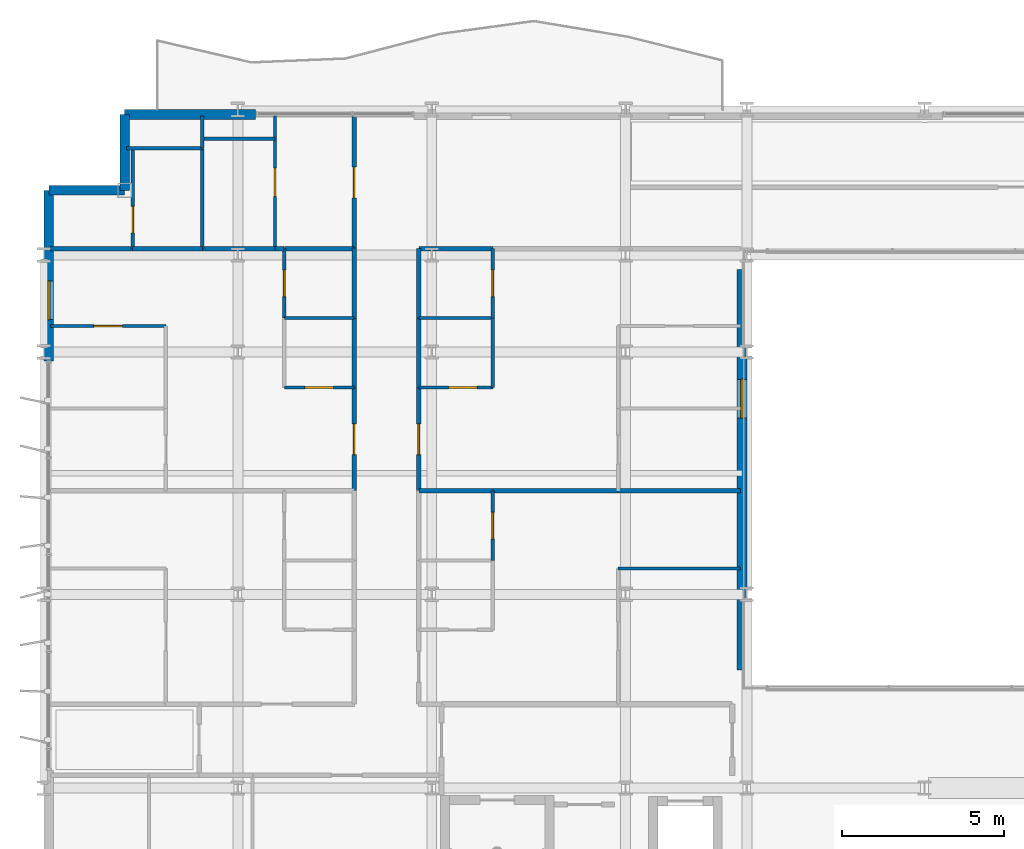
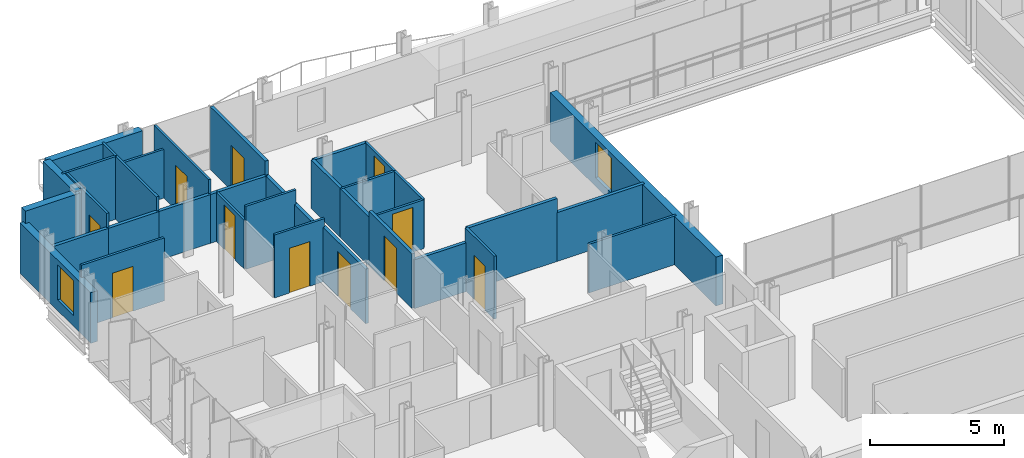
# One storey, part 29 of 39: 37 walls, 11 doors, 2 windows, 13 openings.
"""IFC4 building model written with IfcOpenShell, lengths in metres."""

import ifcopenshell
import ifcopenshell.guid

model = None  # the IFC model being written
_history = None  # IfcOwnerHistory: only IFC2X3 demands one
_inside = {}  # id of a spatial element -> (the spatial element, [elements in it])
_under = {}  # id of a project, library or spatial element -> (it, [spatial elements below it])
_declared = {}  # id of a project -> (the project, [libraries it declares])
_typed = {}  # id of a type object -> (the type object, [elements of that type])
_made_of = {}  # id of a material, layer set ... -> (it, [elements and type objects made of it])


def new_model(schema):
    """Start an empty IFC model of exactly this schema.

    Asked for "IFC4X3", IfcOpenShell would pick the latest addendum, in which some entities
    have other attributes; the version numbers below select the first issue.
    IFC2X3 requires an IfcOwnerHistory on every rooted entity: one is made here for all.
    """
    global model, _history
    if schema == "IFC4X3":
        model = ifcopenshell.file(schema_version=(4, 3, 0, 0))
    else:
        model = ifcopenshell.file(schema=schema)
    _inside.clear()
    _under.clear()
    _declared.clear()
    _typed.clear()
    _made_of.clear()
    _history = None
    if model.schema == "IFC2X3":
        org = make("IfcOrganization", Name="unknown")
        user = make(
            "IfcPersonAndOrganization",
            ThePerson=make("IfcPerson", FamilyName="unknown"),
            TheOrganization=org,
        )
        app = make(
            "IfcApplication",
            ApplicationDeveloper=org,
            Version="unknown",
            ApplicationFullName="unknown",
            ApplicationIdentifier="unknown",
        )
        _history = make(
            "IfcOwnerHistory",
            OwningUser=user,
            OwningApplication=app,
            ChangeAction="ADDED",
            CreationDate=0,
        )
    return model


def make(cls, **values):
    """One entity of the class cls with the attributes given. An attribute that is None is left unset."""
    return model.create_entity(
        cls, **{name: value for name, value in values.items() if value is not None}
    )


def rooted(cls, **values):
    """An entity with a GlobalId (a new one), such as an element, a storey or a relation."""
    return make(cls, GlobalId=ifcopenshell.guid.new(), OwnerHistory=_history, **values)


def si_unit(unit_type, name, prefix=None):
    """IfcSIUnit, for example si_unit("LENGTHUNIT", "METRE", prefix="MILLI")."""
    return make("IfcSIUnit", UnitType=unit_type, Prefix=prefix, Name=name)


def assignment(units):
    """IfcUnitAssignment: the units of a project."""
    return None if units is None else make("IfcUnitAssignment", Units=units)


def point(xyz):
    """IfcCartesianPoint."""
    return None if xyz is None else make("IfcCartesianPoint", Coordinates=xyz)


def direction(xyz):
    """IfcDirection."""
    return None if xyz is None else make("IfcDirection", DirectionRatios=xyz)


def frame(location, z_axis=None, x_axis=None):
    """IfcAxis2Placement3D, a coordinate frame: its origin and axes. An axis left out is left unset."""
    return make(
        "IfcAxis2Placement3D",
        Location=point(location),
        Axis=direction(z_axis),
        RefDirection=direction(x_axis),
    )


def frame_2d(location, x_axis=None):
    """IfcAxis2Placement2D, a coordinate frame in the plane: its origin and x axis."""
    return make(
        "IfcAxis2Placement2D", Location=point(location), RefDirection=direction(x_axis)
    )


def origin():
    """The frame at (0, 0, 0) with its axes left unset."""
    return frame((0.0, 0.0, 0.0))


def place(relative_to, where):
    """IfcLocalPlacement: puts the frame where relative to a parent placement (None: the world)."""
    return make(
        "IfcLocalPlacement", PlacementRelTo=relative_to, RelativePlacement=where
    )


def context(
    kind, dimensions, precision=None, world=None, true_north=None, identifier=None
):
    """IfcGeometricRepresentationContext, for example the 3D "Model" context."""
    return make(
        "IfcGeometricRepresentationContext",
        ContextIdentifier=identifier,
        ContextType=kind,
        CoordinateSpaceDimension=dimensions,
        Precision=precision,
        WorldCoordinateSystem=world,
        TrueNorth=true_north,
    )


def subcontext(parent, identifier, kind, view, scale=None):
    """IfcGeometricRepresentationSubContext, for example "Body" below "Model"."""
    return make(
        "IfcGeometricRepresentationSubContext",
        ContextIdentifier=identifier,
        ContextType=kind,
        ParentContext=parent,
        TargetScale=scale,
        TargetView=view,
    )


def project(units=None, contexts=None):
    """IfcProject with its units and contexts."""
    return rooted(
        "IfcProject",
        Name="project",
        RepresentationContexts=contexts,
        UnitsInContext=assignment(units),
    )


def spatial(cls, under=None, at=None, **own):
    """A site, building, storey or space (cls), placed at a placement, below another one or the project."""
    s = rooted(cls, ObjectPlacement=at, **own)
    if under is not None:
        _under.setdefault(under.id(), (under, []))[1].append(s)
    return s


def profile(cls, at=None, kind="AREA", **sizes):
    """A parametric profile (cls). Its sizes go by their IFC names, for example OverallWidth=200.0."""
    return make(cls, ProfileType=kind, Position=at, **sizes)


def rectangle(**sizes):
    """IfcRectangleProfileDef."""
    return profile("IfcRectangleProfileDef", **sizes)


def extrude(swept, where, along, depth):
    """IfcExtrudedAreaSolid: the profile swept, set in the frame where, extruded along a direction by depth."""
    return make(
        "IfcExtrudedAreaSolid",
        SweptArea=swept,
        Position=where,
        ExtrudedDirection=direction(along),
        Depth=depth,
    )


def shape(context_of_items, identifier, shape_type, items):
    """IfcShapeRepresentation: the items that make up one representation, for example the "Body"."""
    return make(
        "IfcShapeRepresentation",
        ContextOfItems=context_of_items,
        RepresentationIdentifier=identifier,
        RepresentationType=shape_type,
        Items=items,
    )


def material(Name=None, Category=None):
    """IfcMaterial."""
    return make("IfcMaterial", Name=Name, Category=Category)


def layer(
    of_material, thickness, ventilated=None, Name=None, Category=None, Priority=None
):
    """IfcMaterialLayer: one layer of a wall or slab, of a material (None: an air gap)."""
    return make(
        "IfcMaterialLayer",
        Material=of_material,
        LayerThickness=thickness,
        IsVentilated=ventilated,
        Name=Name,
        Category=Category,
        Priority=Priority,
    )


def layer_set(layers, Name=None):
    """IfcMaterialLayerSet."""
    return make("IfcMaterialLayerSet", MaterialLayers=layers, LayerSetName=Name)


def made_of(thing, what):
    """Note that an element or type object is made of a material, layer set ...; save() writes the relation."""
    if what is not None:
        _made_of.setdefault(what.id(), (what, []))[1].append(thing)
    return thing


def type_object(cls, material=None, **own):
    """A type object (cls), such as IfcWallType, which elements share."""
    return made_of(rooted(cls, **own), material)


def element(
    cls,
    number,
    at=None,
    inside=None,
    cuts=None,
    type_object=None,
    material=None,
    context=None,
    identifier="Body",
    shape_type=None,
    held_by="IfcProductDefinitionShape",
    body=None,
    shapes=None,
    **own,
):
    """One element of the class cls, such as IfcWall. Its Tag is "e" and its number.

    at: its placement. inside: the storey or other place that contains it. cuts: it is an
    opening in that element (IfcRelVoidsElement). A single representation is given by context,
    identifier, shape_type and body (its items); several are given by shapes. held_by: the class
    of the entity that holds the representations. save() writes the other relations.
    """
    e = rooted(cls, Tag="e%d" % number, ObjectPlacement=at, **own)
    if body is not None:
        shapes = [shape(context, identifier, shape_type, body)]
    if shapes is not None:
        e.Representation = make(held_by, Representations=shapes)
    if inside is not None:
        _inside.setdefault(inside.id(), (inside, []))[1].append(e)
    if cuts is not None:
        rooted(
            "IfcRelVoidsElement", RelatingBuildingElement=cuts, RelatedOpeningElement=e
        )
    if type_object is not None:
        _typed.setdefault(type_object.id(), (type_object, []))[1].append(e)
    return made_of(e, material)


def fill(opening, filler):
    """IfcRelFillsElement: the door or window that sits in an opening."""
    return rooted(
        "IfcRelFillsElement",
        RelatingOpeningElement=opening,
        RelatedBuildingElement=filler,
    )


def aggregate(whole, parts):
    """IfcRelAggregates: a whole, such as a stair, and the parts it consists of."""
    return rooted("IfcRelAggregates", RelatingObject=whole, RelatedObjects=parts)


def save(model, path):
    """Write the relations noted so far, then the file.

    IfcRelAggregates (storeys below a building ...), IfcRelContainedInSpatialStructure (elements
    in a storey), IfcRelDefinesByType, IfcRelAssociatesMaterial and IfcRelDeclares: one each for
    every whole, place, type object, material and project.
    """
    for whole, parts in _under.values():
        aggregate(whole, parts)
    for where, things in _inside.values():
        rooted(
            "IfcRelContainedInSpatialStructure",
            RelatedElements=things,
            RelatingStructure=where,
        )
    for kind, things in _typed.values():
        rooted("IfcRelDefinesByType", RelatedObjects=things, RelatingType=kind)
    for what, things in _made_of.values():
        rooted("IfcRelAssociatesMaterial", RelatedObjects=things, RelatingMaterial=what)
    for by, libraries in _declared.values():
        rooted("IfcRelDeclares", RelatingContext=by, RelatedDefinitions=libraries)
    model.write(path)


model = new_model("IFC4")

# Units and contexts
model_context = context("Model", 3, precision=1e-05, world=origin(), true_north=direction((0.0, 1.0)))
body_context = subcontext(model_context, "Body", "Model", "MODEL_VIEW")
ifc_project = project(units=[si_unit("LENGTHUNIT", "METRE"), si_unit("AREAUNIT", "SQUARE_METRE"), si_unit("VOLUMEUNIT", "CUBIC_METRE"), si_unit("PLANEANGLEUNIT", "RADIAN"), si_unit("MASSUNIT", "GRAM", prefix="KILO")], contexts=[model_context])

# Site, building, storey
site_placement = place(None, origin())
site = spatial("IfcSite", under=ifc_project, at=site_placement, CompositionType="ELEMENT")
building_placement = place(site_placement, origin())
building = spatial("IfcBuilding", under=site, at=building_placement, Name="Brevholm Reach", CompositionType="ELEMENT")
storey_placement = place(building_placement, frame((0.0, 0.0, 83.800048828125)))
storey = spatial("IfcBuildingStorey", under=building, at=storey_placement, Name="L24", CompositionType="ELEMENT", Elevation=83.800048828125)

# Walls
ifc_material_1 = material(Name="Concrete C40/50", Category="concrete")
ifc_layer_1 = layer(ifc_material_1, 0.300048828125)
ifc_layer_set_1 = layer_set([ifc_layer_1], Name="Concrete C40/50")
wall_type_1 = type_object("IfcWallType", Name="WAL-EXT-300", PredefinedType="STANDARD", material=ifc_layer_set_1)
for number, where, z_axis, x_axis, name in (
    (1, (2.5, 30.85009765625, 0.0), (0.0, 0.0, 1.0), (0.0, -1.0, 0.0), "L24 Facade Wall WAL-L24-CNW1"),
    (2, (2.5, 28.5, 0.0), (0.0, 0.0, 1.0), (-1.0, 0.0, 0.0), "L24 Facade Wall WAL-L24-CNW2"),
):
    element("IfcWall", number, at=place(storey_placement, frame(where, z_axis=z_axis, x_axis=x_axis)), inside=storey, type_object=wall_type_1, Name=name, PredefinedType="STANDARD", context=body_context, shape_type="SweptSolid", body=[
        extrude(rectangle(XDim=2.35009765625, YDim=0.300048828125, at=frame_2d((1.175048828125, 0.0))), origin(), (0.0, 0.0, 1.0), 2.869873046875),
    ])

# Wall, opening, window
wall_1_placement = place(storey_placement, frame((0.14990234375, 28.5, 0.0), z_axis=(0.0, 0.0, 1.0), x_axis=(0.0, -1.0, 0.0)))
wall_1 = element("IfcWall", 3, at=wall_1_placement, inside=storey, type_object=wall_type_1, Name="L24 Facade Wall WAL-L24-W-N", PredefinedType="STANDARD", context=body_context, shape_type="SweptSolid", body=[
    extrude(rectangle(XDim=5.280029296875, YDim=0.300048828125, at=frame_2d((2.64013671875, 0.0))), origin(), (0.0, 0.0, 1.0), 2.305419921875),
])
opening_1_placement = place(wall_1_placement, frame((2.800048828125, 0.0, 0.486083984375)))
opening_1 = element("IfcOpeningElement", 4, at=opening_1_placement, cuts=wall_1, Name="Opening WN-08", PredefinedType="OPENING", context=body_context, shape_type="SweptSolid", body=[
    extrude(rectangle(XDim=1.199951171875, YDim=1.60009765625, at=frame_2d((0.60009765625, 0.800048828125))), frame((0.0, 0.159912109375, 0.0), z_axis=(0.0, -1.0, 0.0), x_axis=(1.0, 0.0, 0.0)), (0.0, 0.0, 1.0), 0.320068359375),
])
ifc_material_2 = material(Name="Dark Anodised Aluminium and Solar-Control IGU Glass", Category="aluminium")
window_type = type_object("IfcWindowType", Name="WIN-RES-1200", PartitioningType="SINGLE_PANEL", PredefinedType="WINDOW", material=ifc_material_2)
window_1_placement = place(opening_1_placement, origin())
window_1 = element("IfcWindow", 5, at=window_1_placement, inside=storey, type_object=window_type, Name="L24 Window WIN-L24-WN-1", OverallHeight=1.60009765625, OverallWidth=1.199951171875, PartitioningType="SINGLE_PANEL", PredefinedType="WINDOW", context=body_context, shape_type="SweptSolid", body=[
    extrude(rectangle(XDim=1.199951171875, YDim=1.60009765625, at=frame_2d((0.60009765625, 0.800048828125))), frame((0.0, 0.030029296875, 0.0), z_axis=(0.0, -1.0, 0.0), x_axis=(1.0, 0.0, 0.0)), (0.0, 0.0, 1.0), 0.06005859375),
])
fill(opening_1, window_1)

# Wall
wall_2_placement = place(storey_placement, frame((2.5, 30.85009765625, 0.0), z_axis=(0.0, 0.0, 1.0), x_axis=(1.0, 0.0, 0.0)))
element("IfcWall", 6, at=wall_2_placement, inside=storey, type_object=wall_type_1, Name="L24 Facade Wall WAL-L24-NP-W0", PredefinedType="STANDARD", context=body_context, shape_type="SweptSolid", body=[
    extrude(rectangle(XDim=4.050048828125, YDim=0.300048828125, at=frame_2d((2.02490234375, 0.0))), origin(), (0.0, 0.0, 1.0), 2.869873046875),
])

# Wall, opening, window
wall_3_placement = place(storey_placement, frame((21.60009765625, 26.050048828125, 0.0), z_axis=(0.0, 0.0, 1.0), x_axis=(0.0, -1.0, 0.0)))
wall_3 = element("IfcWall", 7, at=wall_3_placement, inside=storey, type_object=wall_type_1, Name="L24 Facade Wall WAL-L24-AT-W", PredefinedType="STANDARD", context=body_context, shape_type="SweptSolid", body=[
    extrude(rectangle(XDim=12.400146484375, YDim=0.300048828125, at=frame_2d((6.2001953125, 0.0))), origin(), (0.0, 0.0, 1.0), 2.224853515625),
])
opening_2_placement = place(wall_3_placement, frame((3.39990234375, 0.0, 0.405029296875)))
opening_2 = element("IfcOpeningElement", 8, at=opening_2_placement, cuts=wall_3, Name="Opening WN-08", PredefinedType="OPENING", context=body_context, shape_type="SweptSolid", body=[
    extrude(rectangle(XDim=1.199951171875, YDim=1.60009765625, at=frame_2d((0.60009765625, 0.800048828125))), frame((0.0, 0.159912109375, 0.0), z_axis=(0.0, -1.0, 0.0), x_axis=(1.0, 0.0, 0.0)), (0.0, 0.0, 1.0), 0.320068359375),
])
window_2_placement = place(opening_2_placement, origin())
window_2 = element("IfcWindow", 9, at=window_2_placement, inside=storey, type_object=window_type, Name="L24 Window WIN-L24-AT-W1", OverallHeight=1.60009765625, OverallWidth=1.199951171875, PartitioningType="SINGLE_PANEL", PredefinedType="WINDOW", context=body_context, shape_type="SweptSolid", body=[
    extrude(rectangle(XDim=1.199951171875, YDim=1.60009765625, at=frame_2d((0.60009765625, 0.800048828125))), frame((0.0, 0.030029296875, 0.0), z_axis=(0.0, -1.0, 0.0), x_axis=(1.0, 0.0, 0.0)), (0.0, 0.0, 1.0), 0.06005859375),
])
fill(opening_2, window_2)

# Wall
ifc_material_3 = material(Name="Moisture-Resistant Acoustic Gypsum Stud Partition 100 mm", Category="gypsum")
ifc_layer_2 = layer(ifc_material_3, 0.10009765625)
ifc_layer_set_2 = layer_set([ifc_layer_2], Name="Moisture-Resistant Acoustic Gypsum Stud Partition 100 mm")
wall_type_2 = type_object("IfcWallType", Name="WAL-PRT-100", PredefinedType="PARTITIONING", material=ifc_layer_set_2)
wall_4_placement = place(storey_placement, frame((7.43798828125, 24.550048828125, 0.0), z_axis=(0.0, 0.0, 1.0), x_axis=(1.0, 0.0, 0.0)))
element("IfcWall", 10, at=wall_4_placement, inside=storey, type_object=wall_type_2, Name="L24 Internal Partition 095", PredefinedType="PARTITIONING", context=body_context, shape_type="SweptSolid", body=[
    extrude(rectangle(XDim=2.157958984375, YDim=0.10009765625, at=frame_2d((1.0791015625, 0.0))), origin(), (0.0, 0.0, 1.0), 2.869873046875),
])

# Wall, opening, door
wall_5_placement = place(storey_placement, frame((7.43798828125, 24.550048828125, 0.0), z_axis=(0.0, 0.0, 1.0), x_axis=(0.0, 1.0, 0.0)))
wall_5 = element("IfcWall", 11, at=wall_5_placement, inside=storey, type_object=wall_type_2, Name="L24 Internal Partition 096", PredefinedType="PARTITIONING", context=body_context, shape_type="SweptSolid", body=[
    extrude(rectangle(XDim=2.14990234375, YDim=0.10009765625, at=frame_2d((1.074951171875, 0.0))), origin(), (0.0, 0.0, 1.0), 2.224853515625),
])
opening_3_placement = place(wall_5_placement, frame((0.6650390625, 0.0, 0.0)))
opening_3 = element("IfcOpeningElement", 12, at=opening_3_placement, cuts=wall_5, Name="Opening ID-03", PredefinedType="OPENING", context=body_context, shape_type="SweptSolid", body=[
    extrude(rectangle(XDim=0.820068359375, YDim=2.02001953125, at=frame_2d((0.41015625, 1.010009765625))), frame((0.0, 0.06005859375, 0.0), z_axis=(0.0, -1.0, 0.0), x_axis=(1.0, 0.0, 0.0)), (0.0, 0.0, 1.0), 0.1201171875),
])
ifc_material_4 = material(Name="Moisture-Resistant Painted Timber Internal Bathroom Door", Category="wood")
door_type_1 = type_object("IfcDoorType", Name="DOR-BATH-820", OperationType="NOTDEFINED", PredefinedType="DOOR", material=ifc_material_4)
door_1_placement = place(opening_3_placement, origin())
door_1 = element("IfcDoor", 13, at=door_1_placement, inside=storey, type_object=door_type_1, Name="L24 Internal Door 037", OperationType="SINGLE_SWING_RIGHT", OverallHeight=2.02001953125, OverallWidth=0.820068359375, PredefinedType="DOOR", context=body_context, shape_type="SweptSolid", body=[
    extrude(rectangle(XDim=0.820068359375, YDim=2.02001953125, at=frame_2d((0.41015625, 1.010009765625))), frame((0.0, 0.02490234375, 0.0), z_axis=(0.0, -1.0, 0.0), x_axis=(1.0, 0.0, 0.0)), (0.0, 0.0, 1.0), 0.050048828125),
])
fill(opening_3, door_1)

wall_6_placement = place(storey_placement, frame((7.43798828125, 22.39990234375, 0.0), z_axis=(0.0, 0.0, 1.0), x_axis=(1.0, 0.0, 0.0)))
wall_6 = element("IfcWall", 14, at=wall_6_placement, inside=storey, type_object=wall_type_2, Name="L24 Internal Partition 098", PredefinedType="PARTITIONING", context=body_context, shape_type="SweptSolid", body=[
    extrude(rectangle(XDim=2.157958984375, YDim=0.10009765625, at=frame_2d((1.0791015625, 0.0))), origin(), (0.0, 0.0, 1.0), 2.869873046875),
])
opening_4_placement = place(wall_6_placement, frame((0.638916015625, 0.0, 0.0)))
opening_4 = element("IfcOpeningElement", 15, at=opening_4_placement, cuts=wall_6, Name="Opening ID-01", PredefinedType="OPENING", context=body_context, shape_type="SweptSolid", body=[
    extrude(rectangle(XDim=0.8798828125, YDim=2.0400390625, at=frame_2d((0.43994140625, 1.02001953125))), frame((0.0, 0.06005859375, 0.0), z_axis=(0.0, -1.0, 0.0), x_axis=(1.0, 0.0, 0.0)), (0.0, 0.0, 1.0), 0.1201171875),
])
ifc_material_5 = material(Name="Lacquered Ash Solid-Core Acoustic Internal Door", Category="timber")
door_type_2 = type_object("IfcDoorType", Name="DOR-INT-880", OperationType="NOTDEFINED", PredefinedType="DOOR", material=ifc_material_5)
door_2_placement = place(opening_4_placement, origin())
door_2 = element("IfcDoor", 16, at=door_2_placement, inside=storey, type_object=door_type_2, Name="L24 Internal Door 038", OperationType="SINGLE_SWING_LEFT", OverallHeight=2.0400390625, OverallWidth=0.8798828125, PredefinedType="DOOR", context=body_context, shape_type="SweptSolid", body=[
    extrude(rectangle(XDim=0.8798828125, YDim=2.0400390625, at=frame_2d((0.43994140625, 1.02001953125))), frame((0.0, 0.02490234375, 0.0), z_axis=(0.0, -1.0, 0.0), x_axis=(1.0, 0.0, 0.0)), (0.0, 0.0, 1.0), 0.050048828125),
])
fill(opening_4, door_2)

wall_7_placement = place(storey_placement, frame((0.199951171875, 24.300048828125, 0.0), z_axis=(0.0, 0.0, 1.0), x_axis=(1.0, 0.0, 0.0)))
wall_7 = element("IfcWall", 17, at=wall_7_placement, inside=storey, type_object=wall_type_2, Name="L24 Internal Partition 103", PredefinedType="PARTITIONING", context=body_context, shape_type="SweptSolid", body=[
    extrude(rectangle(XDim=3.572021484375, YDim=0.10009765625, at=frame_2d((1.7861328125, 0.0))), origin(), (0.0, 0.0, 1.0), 2.869873046875),
])
opening_5_placement = place(wall_7_placement, frame((1.345947265625, 0.0, 0.0)))
opening_5 = element("IfcOpeningElement", 18, at=opening_5_placement, cuts=wall_7, Name="Opening ID-01", PredefinedType="OPENING", context=body_context, shape_type="SweptSolid", body=[
    extrude(rectangle(XDim=0.8798828125, YDim=2.0400390625, at=frame_2d((0.43994140625, 1.02001953125))), frame((0.0, 0.06005859375, 0.0), z_axis=(0.0, -1.0, 0.0), x_axis=(1.0, 0.0, 0.0)), (0.0, 0.0, 1.0), 0.1201171875),
])
door_3_placement = place(opening_5_placement, origin())
door_3 = element("IfcDoor", 19, at=door_3_placement, inside=storey, type_object=door_type_2, Name="L24 Internal Door 040", OperationType="SINGLE_SWING_LEFT", OverallHeight=2.0400390625, OverallWidth=0.8798828125, PredefinedType="DOOR", context=body_context, shape_type="SweptSolid", body=[
    extrude(rectangle(XDim=0.8798828125, YDim=2.0400390625, at=frame_2d((0.43994140625, 1.02001953125))), frame((0.0, 0.02490234375, 0.0), z_axis=(0.0, -1.0, 0.0), x_axis=(1.0, 0.0, 0.0)), (0.0, 0.0, 1.0), 0.050048828125),
])
fill(opening_5, door_3)

wall_8_placement = place(storey_placement, frame((13.888916015625, 17.050048828125, 0.0), z_axis=(0.0, 0.0, 1.0), x_axis=(0.0, 1.0, 0.0)))
wall_8 = element("IfcWall", 20, at=wall_8_placement, inside=storey, type_object=wall_type_2, Name="L24 Internal Partition 109", PredefinedType="PARTITIONING", context=body_context, shape_type="SweptSolid", body=[
    extrude(rectangle(XDim=2.14990234375, YDim=0.10009765625, at=frame_2d((1.074951171875, 0.0))), origin(), (0.0, 0.0, 1.0), 2.869873046875),
])
opening_6_placement = place(wall_8_placement, frame((0.6650390625, 0.0, 0.0)))
opening_6 = element("IfcOpeningElement", 21, at=opening_6_placement, cuts=wall_8, Name="Opening ID-03", PredefinedType="OPENING", context=body_context, shape_type="SweptSolid", body=[
    extrude(rectangle(XDim=0.820068359375, YDim=2.02001953125, at=frame_2d((0.41015625, 1.010009765625))), frame((0.0, 0.06005859375, 0.0), z_axis=(0.0, -1.0, 0.0), x_axis=(1.0, 0.0, 0.0)), (0.0, 0.0, 1.0), 0.1201171875),
])
door_4_placement = place(opening_6_placement, origin())
door_4 = element("IfcDoor", 22, at=door_4_placement, inside=storey, type_object=door_type_1, Name="L24 Internal Door 041", OperationType="SINGLE_SWING_RIGHT", OverallHeight=2.02001953125, OverallWidth=0.820068359375, PredefinedType="DOOR", context=body_context, shape_type="SweptSolid", body=[
    extrude(rectangle(XDim=0.820068359375, YDim=2.02001953125, at=frame_2d((0.41015625, 1.010009765625))), frame((0.0, 0.02490234375, 0.0), z_axis=(0.0, -1.0, 0.0), x_axis=(1.0, 0.0, 0.0)), (0.0, 0.0, 1.0), 0.050048828125),
])
fill(opening_6, door_4)

# Walls
wall_9_placement = place(storey_placement, frame((17.76904296875, 16.800048828125, 0.0), z_axis=(0.0, 0.0, 1.0), x_axis=(1.0, 0.0, 0.0)))
element("IfcWall", 23, at=wall_9_placement, inside=storey, type_object=wall_type_2, Name="L24 Internal Partition 113", PredefinedType="PARTITIONING", context=body_context, shape_type="SweptSolid", body=[
    extrude(rectangle(XDim=3.781005859375, YDim=0.10009765625, at=frame_2d((1.890625, 0.0))), origin(), (0.0, 0.0, 1.0), 2.224853515625),
])
wall_10_placement = place(storey_placement, frame((11.60400390625, 24.550048828125, 0.0), z_axis=(0.0, 0.0, 1.0), x_axis=(1.0, 0.0, 0.0)))
element("IfcWall", 24, at=wall_10_placement, inside=storey, type_object=wall_type_2, Name="L24 Internal Partition 117", PredefinedType="PARTITIONING", context=body_context, shape_type="SweptSolid", body=[
    extrude(rectangle(XDim=2.284912109375, YDim=0.10009765625, at=frame_2d((1.142578125, 0.0))), origin(), (0.0, 0.0, 1.0), 2.224853515625),
])

# Wall, opening, door
wall_11_placement = place(storey_placement, frame((13.888916015625, 24.550048828125, 0.0), z_axis=(0.0, 0.0, 1.0), x_axis=(0.0, 1.0, 0.0)))
wall_11 = element("IfcWall", 25, at=wall_11_placement, inside=storey, type_object=wall_type_2, Name="L24 Internal Partition 118", PredefinedType="PARTITIONING", context=body_context, shape_type="SweptSolid", body=[
    extrude(rectangle(XDim=2.14599609375, YDim=0.10009765625, at=frame_2d((1.072998046875, 0.0))), origin(), (0.0, 0.0, 1.0), 2.224853515625),
])
opening_7_placement = place(wall_11_placement, frame((0.6630859375, 0.0, 0.0)))
opening_7 = element("IfcOpeningElement", 26, at=opening_7_placement, cuts=wall_11, Name="Opening ID-03", PredefinedType="OPENING", context=body_context, shape_type="SweptSolid", body=[
    extrude(rectangle(XDim=0.820068359375, YDim=2.02001953125, at=frame_2d((0.41015625, 1.010009765625))), frame((0.0, 0.06005859375, 0.0), z_axis=(0.0, -1.0, 0.0), x_axis=(1.0, 0.0, 0.0)), (0.0, 0.0, 1.0), 0.1201171875),
])
door_5_placement = place(opening_7_placement, origin())
door_5 = element("IfcDoor", 27, at=door_5_placement, inside=storey, type_object=door_type_1, Name="L24 Internal Door 044", OperationType="SINGLE_SWING_LEFT", OverallHeight=2.02001953125, OverallWidth=0.820068359375, PredefinedType="DOOR", context=body_context, shape_type="SweptSolid", body=[
    extrude(rectangle(XDim=0.820068359375, YDim=2.02001953125, at=frame_2d((0.41015625, 1.010009765625))), frame((0.0, 0.02490234375, 0.0), z_axis=(0.0, -1.0, 0.0), x_axis=(1.0, 0.0, 0.0)), (0.0, 0.0, 1.0), 0.050048828125),
])
fill(opening_7, door_5)

wall_12_placement = place(storey_placement, frame((11.60400390625, 22.39990234375, 0.0), z_axis=(0.0, 0.0, 1.0), x_axis=(1.0, 0.0, 0.0)))
wall_12 = element("IfcWall", 28, at=wall_12_placement, inside=storey, type_object=wall_type_2, Name="L24 Internal Partition 119", PredefinedType="PARTITIONING", context=body_context, shape_type="SweptSolid", body=[
    extrude(rectangle(XDim=2.284912109375, YDim=0.10009765625, at=frame_2d((1.142578125, 0.0))), origin(), (0.0, 0.0, 1.0), 2.224853515625),
])
opening_8_placement = place(wall_12_placement, frame((0.922607421875, 0.0, 0.0)))
opening_8 = element("IfcOpeningElement", 29, at=opening_8_placement, cuts=wall_12, Name="Opening ID-01", PredefinedType="OPENING", context=body_context, shape_type="SweptSolid", body=[
    extrude(rectangle(XDim=0.8798828125, YDim=2.0400390625, at=frame_2d((0.43994140625, 1.02001953125))), frame((0.0, 0.06005859375, 0.0), z_axis=(0.0, -1.0, 0.0), x_axis=(1.0, 0.0, 0.0)), (0.0, 0.0, 1.0), 0.1201171875),
])
door_6_placement = place(opening_8_placement, origin())
door_6 = element("IfcDoor", 30, at=door_6_placement, inside=storey, type_object=door_type_2, Name="L24 Internal Door 045", OperationType="SINGLE_SWING_RIGHT", OverallHeight=2.0400390625, OverallWidth=0.8798828125, PredefinedType="DOOR", context=body_context, shape_type="SweptSolid", body=[
    extrude(rectangle(XDim=0.8798828125, YDim=2.0400390625, at=frame_2d((0.43994140625, 1.02001953125))), frame((0.0, 0.02490234375, 0.0), z_axis=(0.0, -1.0, 0.0), x_axis=(1.0, 0.0, 0.0)), (0.0, 0.0, 1.0), 0.050048828125),
])
fill(opening_8, door_6)

# Walls
wall_13_placement = place(storey_placement, frame((13.888916015625, 22.39990234375, 0.0), z_axis=(0.0, 0.0, 1.0), x_axis=(0.0, 1.0, 0.0)))
element("IfcWall", 31, at=wall_13_placement, inside=storey, type_object=wall_type_2, Name="L24 Internal Partition 120", PredefinedType="PARTITIONING", context=body_context, shape_type="SweptSolid", body=[
    extrude(rectangle(XDim=2.14599609375, YDim=0.10009765625, at=frame_2d((1.072998046875, 0.0))), origin(), (0.0, 0.0, 1.0), 2.224853515625),
])
wall_14_placement = place(storey_placement, frame((4.89990234375, 26.7041015625, 0.0), z_axis=(0.0, 0.0, 1.0), x_axis=(0.0, 1.0, 0.0)))
element("IfcWall", 32, at=wall_14_placement, inside=storey, type_object=wall_type_2, Name="L24 Internal Partition 164", PredefinedType="PARTITIONING", context=body_context, shape_type="SweptSolid", body=[
    extrude(rectangle(XDim=3.095947265625, YDim=0.10009765625, at=frame_2d((1.5478515625, 0.0))), origin(), (0.0, 0.0, 1.0), 2.869873046875),
])
wall_15_placement = place(storey_placement, frame((2.550048828125, 29.800048828125, 0.0), z_axis=(0.0, 0.0, 1.0), x_axis=(1.0, 0.0, 0.0)))
element("IfcWall", 33, at=wall_15_placement, inside=storey, type_object=wall_type_2, Name="L24 Internal Partition 165", PredefinedType="PARTITIONING", context=body_context, shape_type="SweptSolid", body=[
    extrude(rectangle(XDim=2.349853515625, YDim=0.10009765625, at=frame_2d((1.1748046875, 0.0))), origin(), (0.0, 0.0, 1.0), 2.869873046875),
])

# Wall, opening, door
wall_16_placement = place(storey_placement, frame((2.75, 26.7041015625, 0.0), z_axis=(0.0, 0.0, 1.0), x_axis=(0.0, 1.0, 0.0)))
wall_16 = element("IfcWall", 34, at=wall_16_placement, inside=storey, type_object=wall_type_2, Name="L24 Internal Partition 166", PredefinedType="PARTITIONING", context=body_context, shape_type="SweptSolid", body=[
    extrude(rectangle(XDim=3.095947265625, YDim=0.10009765625, at=frame_2d((1.5478515625, 0.0))), origin(), (0.0, 0.0, 1.0), 2.869873046875),
])
opening_9_placement = place(wall_16_placement, frame((0.47802734375, 0.0, 0.0)))
opening_9 = element("IfcOpeningElement", 35, at=opening_9_placement, cuts=wall_16, Name="Opening ID-03", PredefinedType="OPENING", context=body_context, shape_type="SweptSolid", body=[
    extrude(rectangle(XDim=0.820068359375, YDim=2.02001953125, at=frame_2d((0.41015625, 1.010009765625))), frame((0.0, 0.06005859375, 0.0), z_axis=(0.0, -1.0, 0.0), x_axis=(1.0, 0.0, 0.0)), (0.0, 0.0, 1.0), 0.1201171875),
])
door_7_placement = place(opening_9_placement, origin())
door_7 = element("IfcDoor", 36, at=door_7_placement, inside=storey, type_object=door_type_1, Name="L24 Internal Door 062", OperationType="SINGLE_SWING_LEFT", OverallHeight=2.02001953125, OverallWidth=0.820068359375, PredefinedType="DOOR", context=body_context, shape_type="SweptSolid", body=[
    extrude(rectangle(XDim=0.820068359375, YDim=2.02001953125, at=frame_2d((0.41015625, 1.010009765625))), frame((0.0, 0.02490234375, 0.0), z_axis=(0.0, -1.0, 0.0), x_axis=(1.0, 0.0, 0.0)), (0.0, 0.0, 1.0), 0.050048828125),
])
fill(opening_9, door_7)

wall_17_placement = place(storey_placement, frame((7.14990234375, 26.7041015625, 0.0), z_axis=(0.0, 0.0, 1.0), x_axis=(0.0, 1.0, 0.0)))
wall_17 = element("IfcWall", 37, at=wall_17_placement, inside=storey, type_object=wall_type_2, Name="L24 Internal Partition 167", PredefinedType="PARTITIONING", context=body_context, shape_type="SweptSolid", body=[
    extrude(rectangle(XDim=4.095947265625, YDim=0.10009765625, at=frame_2d((2.0478515625, 0.0))), origin(), (0.0, 0.0, 1.0), 2.869873046875),
])
opening_10_placement = place(wall_17_placement, frame((1.60791015625, 0.0, 0.0)))
opening_10 = element("IfcOpeningElement", 38, at=opening_10_placement, cuts=wall_17, Name="Opening ID-01", PredefinedType="OPENING", context=body_context, shape_type="SweptSolid", body=[
    extrude(rectangle(XDim=0.8798828125, YDim=2.0400390625, at=frame_2d((0.43994140625, 1.02001953125))), frame((0.0, 0.06005859375, 0.0), z_axis=(0.0, -1.0, 0.0), x_axis=(1.0, 0.0, 0.0)), (0.0, 0.0, 1.0), 0.1201171875),
])
door_8_placement = place(opening_10_placement, origin())
door_8 = element("IfcDoor", 39, at=door_8_placement, inside=storey, type_object=door_type_2, Name="L24 Internal Door 063", OperationType="SINGLE_SWING_RIGHT", OverallHeight=2.0400390625, OverallWidth=0.8798828125, PredefinedType="DOOR", context=body_context, shape_type="SweptSolid", body=[
    extrude(rectangle(XDim=0.8798828125, YDim=2.0400390625, at=frame_2d((0.43994140625, 1.02001953125))), frame((0.0, 0.02490234375, 0.0), z_axis=(0.0, -1.0, 0.0), x_axis=(1.0, 0.0, 0.0)), (0.0, 0.0, 1.0), 0.050048828125),
])
fill(opening_10, door_8)

# Walls
wall_18_placement = place(storey_placement, frame((4.89990234375, 30.10009765625, 0.0), z_axis=(0.0, 0.0, 1.0), x_axis=(1.0, 0.0, 0.0)))
element("IfcWall", 40, at=wall_18_placement, inside=storey, type_object=wall_type_2, Name="L24 Internal Partition 168", PredefinedType="PARTITIONING", context=body_context, shape_type="SweptSolid", body=[
    extrude(rectangle(XDim=2.25, YDim=0.10009765625, at=frame_2d((1.125, 0.0))), origin(), (0.0, 0.0, 1.0), 2.224853515625),
])
wall_19_placement = place(storey_placement, frame((4.89990234375, 29.803955078125, 0.0), z_axis=(0.0, 0.0, 1.0), x_axis=(0.0, 1.0, 0.0)))
element("IfcWall", 41, at=wall_19_placement, inside=storey, type_object=wall_type_2, Name="L24 Internal Partition 169", PredefinedType="PARTITIONING", context=body_context, shape_type="SweptSolid", body=[
    extrude(rectangle(XDim=0.99609375, YDim=0.10009765625, at=frame_2d((0.498046875, 0.0))), origin(), (0.0, 0.0, 1.0), 2.869873046875),
])
ifc_material_6 = material(Name="Twin-Stud Acoustic Fire-Rated Gypsum Partition 140 mm", Category="gypsum")
ifc_layer_3 = layer(ifc_material_6, 0.139892578125)
ifc_layer_set_3 = layer_set([ifc_layer_3], Name="Twin-Stud Acoustic Fire-Rated Gypsum Partition 140 mm")
wall_type_3 = type_object("IfcWallType", Name="WAL-PRT-140", PredefinedType="PARTITIONING", material=ifc_layer_set_3)
wall_20_placement = place(storey_placement, frame((9.60009765625, 24.538818359375, 0.0), z_axis=(0.0, 0.0, 1.0), x_axis=(0.0, 1.0, 0.0)))
element("IfcWall", 42, at=wall_20_placement, inside=storey, type_object=wall_type_3, Name="L24 Internal Partition 031", PredefinedType="PARTITIONING", context=body_context, shape_type="SweptSolid", body=[
    extrude(rectangle(XDim=2.17236328125, YDim=0.139892578125, at=frame_2d((1.086181640625, 0.0))), origin(), (0.0, 0.0, 1.0), 2.224853515625),
])
wall_21_placement = place(storey_placement, frame((9.60009765625, 22.388671875, 0.0), z_axis=(0.0, 0.0, 1.0), x_axis=(0.0, 1.0, 0.0)))
element("IfcWall", 43, at=wall_21_placement, inside=storey, type_object=wall_type_3, Name="L24 Internal Partition 032", PredefinedType="PARTITIONING", context=body_context, shape_type="SweptSolid", body=[
    extrude(rectangle(XDim=2.168701171875, YDim=0.139892578125, at=frame_2d((1.08447265625, 0.0))), origin(), (0.0, 0.0, 1.0), 2.224853515625),
])

# Wall, opening, door
wall_22_placement = place(storey_placement, frame((9.60009765625, 19.192626953125, 0.0), z_axis=(0.0, 0.0, 1.0), x_axis=(0.0, 1.0, 0.0)))
wall_22 = element("IfcWall", 44, at=wall_22_placement, inside=storey, type_object=wall_type_3, Name="L24 Internal Partition 033", PredefinedType="PARTITIONING", context=body_context, shape_type="SweptSolid", body=[
    extrude(rectangle(XDim=3.214599609375, YDim=0.139892578125, at=frame_2d((1.607421875, 0.0))), origin(), (0.0, 0.0, 1.0), 2.489990234375),
])
opening_11_placement = place(wall_22_placement, frame((1.13232421875, 0.0, 0.0)))
opening_11 = element("IfcOpeningElement", 45, at=opening_11_placement, cuts=wall_22, Name="Opening ID-30", PredefinedType="OPENING", context=body_context, shape_type="SweptSolid", body=[
    extrude(rectangle(XDim=0.949951171875, YDim=2.050048828125, at=frame_2d((0.47509765625, 1.02490234375))), frame((0.0, 0.079833984375, 0.0), z_axis=(0.0, -1.0, 0.0), x_axis=(1.0, 0.0, 0.0)), (0.0, 0.0, 1.0), 0.159912109375),
])
ifc_material_7 = material(Name="European Oak Veneered Solid-Core Fire Entrance Door", Category="timber")
door_type_3 = type_object("IfcDoorType", Name="DOR-FLT-FD30S", OperationType="NOTDEFINED", PredefinedType="DOOR", material=ifc_material_7)
door_9_placement = place(opening_11_placement, origin())
door_9 = element("IfcDoor", 46, at=door_9_placement, inside=storey, type_object=door_type_3, Name="L24 Internal Door 016", OperationType="SINGLE_SWING_LEFT", OverallHeight=2.050048828125, OverallWidth=0.949951171875, PredefinedType="DOOR", context=body_context, shape_type="SweptSolid", body=[
    extrude(rectangle(XDim=0.949951171875, YDim=2.050048828125, at=frame_2d((0.47509765625, 1.02490234375))), frame((0.0, 0.02490234375, 0.0), z_axis=(0.0, -1.0, 0.0), x_axis=(1.0, 0.0, 0.0)), (0.0, 0.0, 1.0), 0.050048828125),
])
fill(opening_11, door_9)

# Walls
wall_23_placement = place(storey_placement, frame((11.60009765625, 24.538818359375, 0.0), z_axis=(0.0, 0.0, 1.0), x_axis=(0.0, 1.0, 0.0)))
element("IfcWall", 47, at=wall_23_placement, inside=storey, type_object=wall_type_3, Name="L24 Internal Partition 037", PredefinedType="PARTITIONING", context=body_context, shape_type="SweptSolid", body=[
    extrude(rectangle(XDim=2.16845703125, YDim=0.139892578125, at=frame_2d((1.084228515625, 0.0))), origin(), (0.0, 0.0, 1.0), 2.224853515625),
])
wall_24_placement = place(storey_placement, frame((11.60009765625, 22.388671875, 0.0), z_axis=(0.0, 0.0, 1.0), x_axis=(0.0, 1.0, 0.0)))
element("IfcWall", 48, at=wall_24_placement, inside=storey, type_object=wall_type_3, Name="L24 Internal Partition 038", PredefinedType="PARTITIONING", context=body_context, shape_type="SweptSolid", body=[
    extrude(rectangle(XDim=2.168701171875, YDim=0.139892578125, at=frame_2d((1.08447265625, 0.0))), origin(), (0.0, 0.0, 1.0), 2.224853515625),
])

# Wall, opening, door
wall_25_placement = place(storey_placement, frame((11.60009765625, 19.192626953125, 0.0), z_axis=(0.0, 0.0, 1.0), x_axis=(0.0, 1.0, 0.0)))
wall_25 = element("IfcWall", 49, at=wall_25_placement, inside=storey, type_object=wall_type_3, Name="L24 Internal Partition 039", PredefinedType="PARTITIONING", context=body_context, shape_type="SweptSolid", body=[
    extrude(rectangle(XDim=3.214599609375, YDim=0.139892578125, at=frame_2d((1.607421875, 0.0))), origin(), (0.0, 0.0, 1.0), 2.489990234375),
])
opening_12_placement = place(wall_25_placement, frame((1.13232421875, 0.0, 0.0)))
opening_12 = element("IfcOpeningElement", 50, at=opening_12_placement, cuts=wall_25, Name="Opening ID-30", PredefinedType="OPENING", context=body_context, shape_type="SweptSolid", body=[
    extrude(rectangle(XDim=0.949951171875, YDim=2.050048828125, at=frame_2d((0.47509765625, 1.02490234375))), frame((0.0, 0.079833984375, 0.0), z_axis=(0.0, -1.0, 0.0), x_axis=(1.0, 0.0, 0.0)), (0.0, 0.0, 1.0), 0.159912109375),
])
door_10_placement = place(opening_12_placement, origin())
door_10 = element("IfcDoor", 51, at=door_10_placement, inside=storey, type_object=door_type_3, Name="L24 Internal Door 018", OperationType="SINGLE_SWING_LEFT", OverallHeight=2.050048828125, OverallWidth=0.949951171875, PredefinedType="DOOR", context=body_context, shape_type="SweptSolid", body=[
    extrude(rectangle(XDim=0.949951171875, YDim=2.050048828125, at=frame_2d((0.47509765625, 1.02490234375))), frame((0.0, 0.02490234375, 0.0), z_axis=(0.0, -1.0, 0.0), x_axis=(1.0, 0.0, 0.0)), (0.0, 0.0, 1.0), 0.050048828125),
])
fill(opening_12, door_10)

wall_26_placement = place(storey_placement, frame((9.60009765625, 26.692626953125, 0.0), z_axis=(0.0, 0.0, 1.0), x_axis=(0.0, 1.0, 0.0)))
wall_26 = element("IfcWall", 52, at=wall_26_placement, inside=storey, type_object=wall_type_3, Name="L24 Internal Partition 040", PredefinedType="PARTITIONING", context=body_context, shape_type="SweptSolid", body=[
    extrude(rectangle(XDim=4.107421875, YDim=0.139892578125, at=frame_2d((2.0537109375, 0.0))), origin(), (0.0, 0.0, 1.0), 2.869873046875),
])
opening_13_placement = place(wall_26_placement, frame((1.57861328125, 0.0, 0.0)))
opening_13 = element("IfcOpeningElement", 53, at=opening_13_placement, cuts=wall_26, Name="Opening ID-30", PredefinedType="OPENING", context=body_context, shape_type="SweptSolid", body=[
    extrude(rectangle(XDim=0.949951171875, YDim=2.050048828125, at=frame_2d((0.47509765625, 1.02490234375))), frame((0.0, 0.079833984375, 0.0), z_axis=(0.0, -1.0, 0.0), x_axis=(1.0, 0.0, 0.0)), (0.0, 0.0, 1.0), 0.159912109375),
])
door_11_placement = place(opening_13_placement, origin())
door_11 = element("IfcDoor", 54, at=door_11_placement, inside=storey, type_object=door_type_3, Name="L24 Internal Door 019", OperationType="SINGLE_SWING_RIGHT", OverallHeight=2.050048828125, OverallWidth=0.949951171875, PredefinedType="DOOR", context=body_context, shape_type="SweptSolid", body=[
    extrude(rectangle(XDim=0.949951171875, YDim=2.050048828125, at=frame_2d((0.47509765625, 1.02490234375))), frame((0.0, 0.02490234375, 0.0), z_axis=(0.0, -1.0, 0.0), x_axis=(1.0, 0.0, 0.0)), (0.0, 0.0, 1.0), 0.050048828125),
])
fill(opening_13, door_11)

# Walls
wall_27_placement = place(storey_placement, frame((11.60400390625, 26.699951171875, 0.0), z_axis=(0.0, 0.0, 1.0), x_axis=(1.0, 0.0, 0.0)))
element("IfcWall", 55, at=wall_27_placement, inside=storey, type_object=wall_type_3, Name="L24 Internal Partition 054", PredefinedType="PARTITIONING", context=body_context, shape_type="SweptSolid", body=[
    extrude(rectangle(XDim=2.29638671875, YDim=0.139892578125, at=frame_2d((1.148193359375, 0.0))), origin(), (0.0, 0.0, 1.0), 2.224853515625),
])
wall_28_placement = place(storey_placement, frame((7.43798828125, 26.699951171875, 0.0), z_axis=(0.0, 0.0, 1.0), x_axis=(1.0, 0.0, 0.0)))
element("IfcWall", 56, at=wall_28_placement, inside=storey, type_object=wall_type_3, Name="L24 Internal Partition 097", PredefinedType="PARTITIONING", context=body_context, shape_type="SweptSolid", body=[
    extrude(rectangle(XDim=2.157958984375, YDim=0.139892578125, at=frame_2d((1.0791015625, 0.0))), origin(), (0.0, 0.0, 1.0), 2.224853515625),
])
wall_29_placement = place(storey_placement, frame((2.73876953125, 26.699951171875, 0.0), z_axis=(0.0, 0.0, 1.0), x_axis=(1.0, 0.0, 0.0)))
element("IfcWall", 57, at=wall_29_placement, inside=storey, type_object=wall_type_3, Name="L24 Internal Partition 104", PredefinedType="PARTITIONING", context=body_context, shape_type="SweptSolid", body=[
    extrude(rectangle(XDim=2.172607421875, YDim=0.139892578125, at=frame_2d((1.08642578125, 0.0))), origin(), (0.0, 0.0, 1.0), 2.224853515625),
])
wall_30_placement = place(storey_placement, frame((4.892578125, 26.699951171875, 0.0), z_axis=(0.0, 0.0, 1.0), x_axis=(1.0, 0.0, 0.0)))
element("IfcWall", 58, at=wall_30_placement, inside=storey, type_object=wall_type_3, Name="L24 Internal Partition 105", PredefinedType="PARTITIONING", context=body_context, shape_type="SweptSolid", body=[
    extrude(rectangle(XDim=2.268798828125, YDim=0.139892578125, at=frame_2d((1.13427734375, 0.0))), origin(), (0.0, 0.0, 1.0), 2.224853515625),
])
wall_31_placement = place(storey_placement, frame((7.142578125, 26.699951171875, 0.0), z_axis=(0.0, 0.0, 1.0), x_axis=(1.0, 0.0, 0.0)))
element("IfcWall", 59, at=wall_31_placement, inside=storey, type_object=wall_type_3, Name="L24 Internal Partition 106", PredefinedType="PARTITIONING", context=body_context, shape_type="SweptSolid", body=[
    extrude(rectangle(XDim=0.29150390625, YDim=0.139892578125, at=frame_2d((0.145751953125, 0.0))), origin(), (0.0, 0.0, 1.0), 2.224853515625),
])
wall_32_placement = place(storey_placement, frame((0.199951171875, 26.699951171875, 0.0), z_axis=(0.0, 0.0, 1.0), x_axis=(1.0, 0.0, 0.0)))
element("IfcWall", 60, at=wall_32_placement, inside=storey, type_object=wall_type_3, Name="L24 Internal Partition 107", PredefinedType="PARTITIONING", context=body_context, shape_type="SweptSolid", body=[
    extrude(rectangle(XDim=2.557373046875, YDim=0.139892578125, at=frame_2d((1.27880859375, 0.0))), origin(), (0.0, 0.0, 1.0), 2.224853515625),
])
wall_33_placement = place(storey_placement, frame((11.60400390625, 19.199951171875, 0.0), z_axis=(0.0, 0.0, 1.0), x_axis=(1.0, 0.0, 0.0)))
element("IfcWall", 61, at=wall_33_placement, inside=storey, type_object=wall_type_3, Name="L24 Internal Partition 110", PredefinedType="PARTITIONING", context=body_context, shape_type="SweptSolid", body=[
    extrude(rectangle(XDim=2.284912109375, YDim=0.139892578125, at=frame_2d((1.142578125, 0.0))), origin(), (0.0, 0.0, 1.0), 2.224853515625),
])
wall_34_placement = place(storey_placement, frame((17.7578125, 19.199951171875, 0.0), z_axis=(0.0, 0.0, 1.0), x_axis=(1.0, 0.0, 0.0)))
element("IfcWall", 62, at=wall_34_placement, inside=storey, type_object=wall_type_3, Name="L24 Internal Partition 115", PredefinedType="PARTITIONING", context=body_context, shape_type="SweptSolid", body=[
    extrude(rectangle(XDim=3.792236328125, YDim=0.139892578125, at=frame_2d((1.89599609375, 0.0))), origin(), (0.0, 0.0, 1.0), 2.224853515625),
])
wall_35_placement = place(storey_placement, frame((13.89306640625, 19.199951171875, 0.0), z_axis=(0.0, 0.0, 1.0), x_axis=(1.0, 0.0, 0.0)))
element("IfcWall", 63, at=wall_35_placement, inside=storey, type_object=wall_type_3, Name="L24 Internal Partition 116", PredefinedType="PARTITIONING", context=body_context, shape_type="SweptSolid", body=[
    extrude(rectangle(XDim=3.88330078125, YDim=0.139892578125, at=frame_2d((1.941650390625, 0.0))), origin(), (0.0, 0.0, 1.0), 2.869873046875),
])

save(model, "model.ifc")
